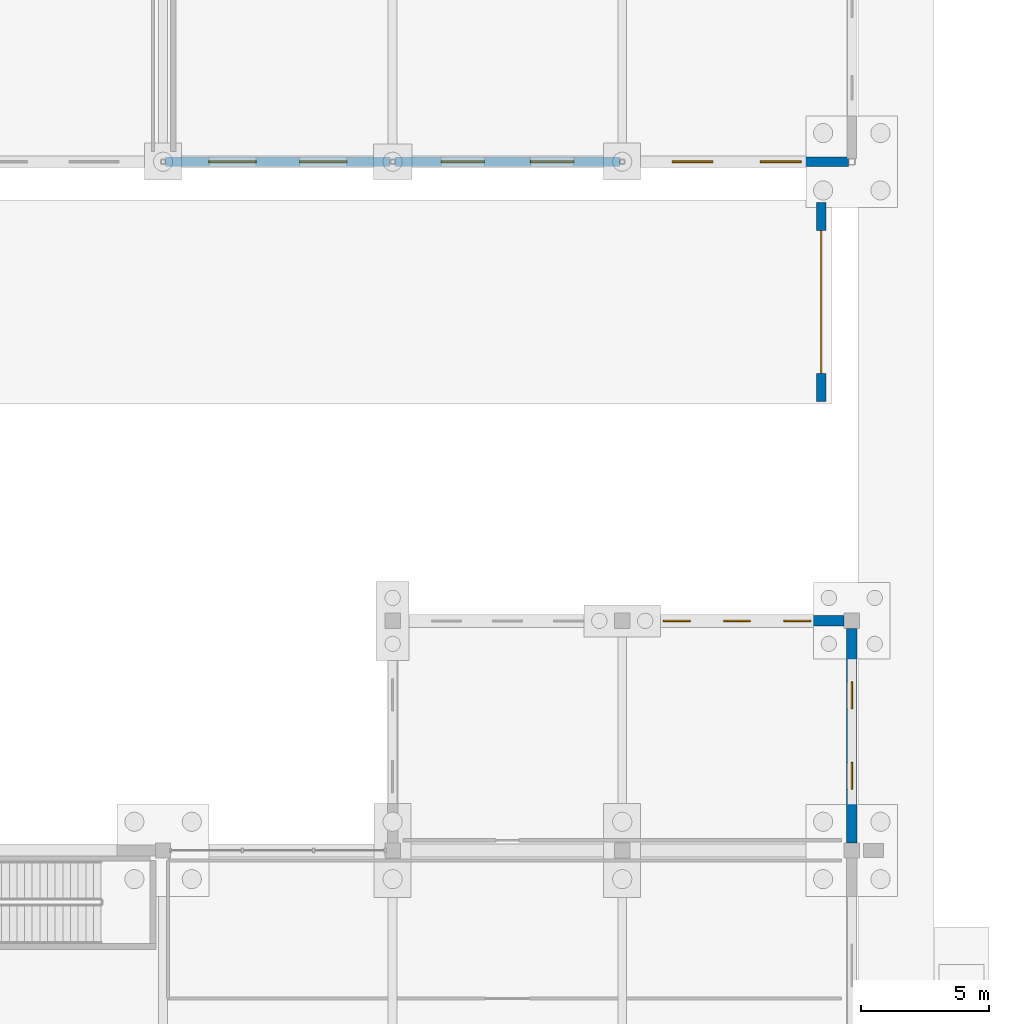
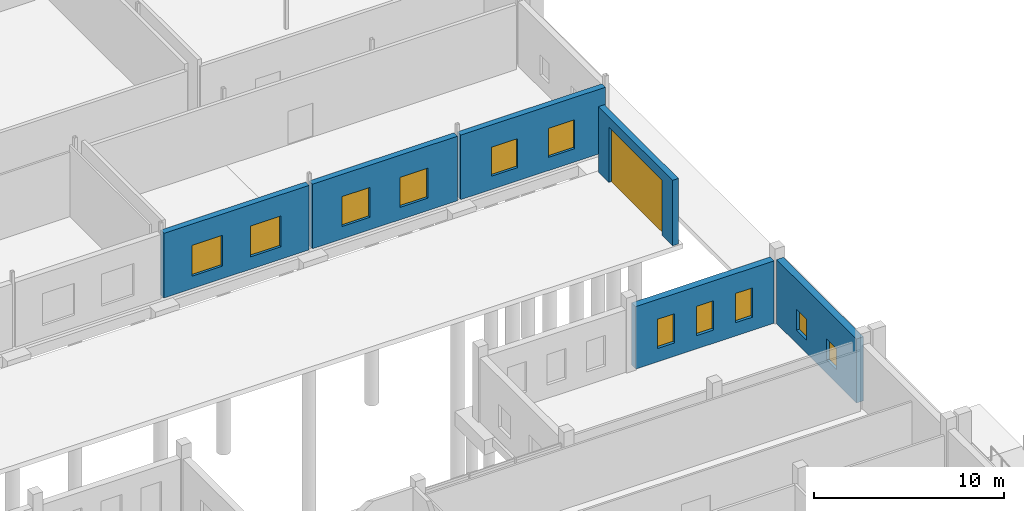
# One storey, part 78 of 112: 11 windows, 6 walls, 1 door, 12 openings.
"""IFC4 building model written with IfcOpenShell, lengths in metres."""

from ifc_helpers import new_model, si_unit, direction, frame, frame_2d, origin, place, context, subcontext, project, spatial, rectangle, extrude, material, layer, layer_set, type_object, element, fill, save


model = new_model("IFC4")

# Units and contexts
model_context = context("Model", 3, precision=1e-05, world=origin(), true_north=direction((0.0, 1.0)))
body_context = subcontext(model_context, "Body", "Model", "MODEL_VIEW")
ifc_project = project(units=[si_unit("LENGTHUNIT", "METRE"), si_unit("AREAUNIT", "SQUARE_METRE"), si_unit("VOLUMEUNIT", "CUBIC_METRE"), si_unit("PLANEANGLEUNIT", "RADIAN"), si_unit("MASSUNIT", "GRAM", prefix="KILO")], contexts=[model_context])

# Site, building, storey
site_placement = place(None, origin())
site = spatial("IfcSite", under=ifc_project, at=site_placement, CompositionType="ELEMENT")
building_placement = place(site_placement, origin())
building = spatial("IfcBuilding", under=site, at=building_placement, Name="Tharagai Park Tramway Depot", CompositionType="ELEMENT")
storey_placement = place(building_placement, origin())
storey = spatial("IfcBuildingStorey", under=building, at=storey_placement, Name="L00", CompositionType="ELEMENT", Elevation=0.0)

# Wall, openings, windows
ifc_material_1 = material(Name="Concrete M35", Category="concrete")
ifc_layer_1 = layer(ifc_material_1, 0.360107421875)
ifc_layer_set_1 = layer_set([ifc_layer_1], Name="Concrete M35")
wall_type_1 = type_object("IfcWallType", Name="EW-03", PredefinedType="SOLIDWALL", material=ifc_layer_set_1)
wall_1_placement = place(storey_placement, frame((189.095947265625, 54.0, 0.0), z_axis=(0.0, 0.0, 1.0), x_axis=(1.0, 0.0, 0.0)))
wall_1 = element("IfcWall", 1, at=wall_1_placement, inside=storey, type_object=wall_type_1, Name="L00 V6 Exterior Masonry Wall EW-03", PredefinedType="SOLIDWALL", context=body_context, shape_type="SweptSolid", body=[
    extrude(rectangle(XDim=8.80810546875, YDim=0.360107421875, at=frame_2d((4.404052734375, 0.0))), origin(), (0.0, 0.0, 1.0), 4.14208984375),
])
opening_1_placement = place(wall_1_placement, frame((1.702880859375, 0.0, 0.800048828125)))
opening_1 = element("IfcOpeningElement", 2, at=opening_1_placement, cuts=wall_1, Name="Opening WN-52", PredefinedType="OPENING", context=body_context, shape_type="SweptSolid", body=[
    extrude(rectangle(XDim=1.85009765625, YDim=1.97998046875, at=frame_2d((0.925048828125, 0.989990234375))), frame((0.0, 0.18994140625, 0.0), z_axis=(0.0, -1.0, 0.0), x_axis=(1.0, 0.0, 0.0)), (0.0, 0.0, 1.0), 0.380126953125),
])
opening_2_placement = place(wall_1_placement, frame((5.2548828125, 0.0, 0.800048828125)))
opening_2 = element("IfcOpeningElement", 3, at=opening_2_placement, cuts=wall_1, Name="Opening WN-52", PredefinedType="OPENING", context=body_context, shape_type="SweptSolid", body=[
    extrude(rectangle(XDim=1.85009765625, YDim=1.97998046875, at=frame_2d((0.925048828125, 0.989990234375))), frame((0.0, 0.18994140625, 0.0), z_axis=(0.0, -1.0, 0.0), x_axis=(1.0, 0.0, 0.0)), (0.0, 0.0, 1.0), 0.380126953125),
])
ifc_material_2 = material(Name="Laminated solar-control glass", Category="glass")
window_type_1 = type_object("IfcWindowType", Name="WN-52", PartitioningType="SINGLE_PANEL", PredefinedType="WINDOW", material=ifc_material_2)
window_1_placement = place(opening_1_placement, origin())
window_1 = element("IfcWindow", 4, at=window_1_placement, inside=storey, type_object=window_type_1, Name="L00 V6 Gothic Lancet Window WN-52", OverallHeight=1.97998046875, OverallWidth=1.85009765625, PartitioningType="SINGLE_PANEL", PredefinedType="WINDOW", context=body_context, shape_type="SweptSolid", body=[
    extrude(rectangle(XDim=1.85009765625, YDim=1.97998046875, at=frame_2d((0.925048828125, 0.989990234375))), frame((0.0, 0.030029296875, 0.0), z_axis=(0.0, -1.0, 0.0), x_axis=(1.0, 0.0, 0.0)), (0.0, 0.0, 1.0), 0.06005859375),
])
fill(opening_1, window_1)
window_2_placement = place(opening_2_placement, origin())
window_2 = element("IfcWindow", 5, at=window_2_placement, inside=storey, type_object=window_type_1, Name="L00 V6 Gothic Lancet Window WN-52", OverallHeight=1.97998046875, OverallWidth=1.85009765625, PartitioningType="SINGLE_PANEL", PredefinedType="WINDOW", context=body_context, shape_type="SweptSolid", body=[
    extrude(rectangle(XDim=1.85009765625, YDim=1.97998046875, at=frame_2d((0.925048828125, 0.989990234375))), frame((0.0, 0.030029296875, 0.0), z_axis=(0.0, -1.0, 0.0), x_axis=(1.0, 0.0, 0.0)), (0.0, 0.0, 1.0), 0.06005859375),
])
fill(opening_2, window_2)

wall_2_placement = place(storey_placement, frame((198.095947265625, 54.0, 0.0), z_axis=(0.0, 0.0, 1.0), x_axis=(1.0, 0.0, 0.0)))
wall_2 = element("IfcWall", 6, at=wall_2_placement, inside=storey, type_object=wall_type_1, Name="L00 V6 Exterior Masonry Wall EW-03", PredefinedType="SOLIDWALL", context=body_context, shape_type="SweptSolid", body=[
    extrude(rectangle(XDim=8.80810546875, YDim=0.360107421875, at=frame_2d((4.404052734375, 0.0))), origin(), (0.0, 0.0, 1.0), 4.14208984375),
])
opening_3_placement = place(wall_2_placement, frame((1.802978515625, 0.0, 0.800048828125)))
opening_3 = element("IfcOpeningElement", 7, at=opening_3_placement, cuts=wall_2, Name="Opening WN-21", PredefinedType="OPENING", context=body_context, shape_type="SweptSolid", body=[
    extrude(rectangle(XDim=1.699951171875, YDim=1.919921875, at=frame_2d((0.85009765625, 0.9599609375))), frame((0.0, 0.18994140625, 0.0), z_axis=(0.0, -1.0, 0.0), x_axis=(1.0, 0.0, 0.0)), (0.0, 0.0, 1.0), 0.380126953125),
])
opening_4_placement = place(wall_2_placement, frame((5.304931640625, 0.0, 0.800048828125)))
opening_4 = element("IfcOpeningElement", 8, at=opening_4_placement, cuts=wall_2, Name="Opening WN-21", PredefinedType="OPENING", context=body_context, shape_type="SweptSolid", body=[
    extrude(rectangle(XDim=1.699951171875, YDim=1.919921875, at=frame_2d((0.85009765625, 0.9599609375))), frame((0.0, 0.18994140625, 0.0), z_axis=(0.0, -1.0, 0.0), x_axis=(1.0, 0.0, 0.0)), (0.0, 0.0, 1.0), 0.380126953125),
])
window_type_2 = type_object("IfcWindowType", Name="WN-21", PartitioningType="SINGLE_PANEL", PredefinedType="WINDOW", material=ifc_material_2)
window_3_placement = place(opening_3_placement, origin())
window_3 = element("IfcWindow", 9, at=window_3_placement, inside=storey, type_object=window_type_2, Name="L00 V6 Gothic Lancet Window WN-21", OverallHeight=1.919921875, OverallWidth=1.699951171875, PartitioningType="SINGLE_PANEL", PredefinedType="WINDOW", context=body_context, shape_type="SweptSolid", body=[
    extrude(rectangle(XDim=1.699951171875, YDim=1.919921875, at=frame_2d((0.85009765625, 0.9599609375))), frame((0.0, 0.030029296875, 0.0), z_axis=(0.0, -1.0, 0.0), x_axis=(1.0, 0.0, 0.0)), (0.0, 0.0, 1.0), 0.06005859375),
])
fill(opening_3, window_3)
window_4_placement = place(opening_4_placement, origin())
window_4 = element("IfcWindow", 10, at=window_4_placement, inside=storey, type_object=window_type_2, Name="L00 V6 Gothic Lancet Window WN-21", OverallHeight=1.919921875, OverallWidth=1.699951171875, PartitioningType="SINGLE_PANEL", PredefinedType="WINDOW", context=body_context, shape_type="SweptSolid", body=[
    extrude(rectangle(XDim=1.699951171875, YDim=1.919921875, at=frame_2d((0.85009765625, 0.9599609375))), frame((0.0, 0.030029296875, 0.0), z_axis=(0.0, -1.0, 0.0), x_axis=(1.0, 0.0, 0.0)), (0.0, 0.0, 1.0), 0.06005859375),
])
fill(opening_4, window_4)

wall_3_placement = place(storey_placement, frame((207.095947265625, 54.0, 0.0), z_axis=(0.0, 0.0, 1.0), x_axis=(1.0, 0.0, 0.0)))
wall_3 = element("IfcWall", 11, at=wall_3_placement, inside=storey, type_object=wall_type_1, Name="L00 V6 Exterior Masonry Wall EW-03", PredefinedType="SOLIDWALL", context=body_context, shape_type="SweptSolid", body=[
    extrude(rectangle(XDim=8.77294921875, YDim=0.360107421875, at=frame_2d((4.386474609375, 0.0))), origin(), (0.0, 0.0, 1.0), 4.14208984375),
])
opening_5_placement = place(wall_3_placement, frame((1.85791015625, 0.0, 0.85009765625)))
opening_5 = element("IfcOpeningElement", 12, at=opening_5_placement, cuts=wall_3, Name="Opening WN-55", PredefinedType="OPENING", context=body_context, shape_type="SweptSolid", body=[
    extrude(rectangle(XDim=1.60009765625, YDim=1.860107421875, at=frame_2d((0.800048828125, 0.93017578125))), frame((0.0, 0.18994140625, 0.0), z_axis=(0.0, -1.0, 0.0), x_axis=(1.0, 0.0, 0.0)), (0.0, 0.0, 1.0), 0.380126953125),
])
opening_6_placement = place(wall_3_placement, frame((5.31494140625, 0.0, 0.85009765625)))
opening_6 = element("IfcOpeningElement", 13, at=opening_6_placement, cuts=wall_3, Name="Opening WN-55", PredefinedType="OPENING", context=body_context, shape_type="SweptSolid", body=[
    extrude(rectangle(XDim=1.60009765625, YDim=1.860107421875, at=frame_2d((0.800048828125, 0.93017578125))), frame((0.0, 0.18994140625, 0.0), z_axis=(0.0, -1.0, 0.0), x_axis=(1.0, 0.0, 0.0)), (0.0, 0.0, 1.0), 0.380126953125),
])
window_type_3 = type_object("IfcWindowType", Name="WN-55", PartitioningType="SINGLE_PANEL", PredefinedType="WINDOW", material=ifc_material_2)
window_5_placement = place(opening_5_placement, origin())
window_5 = element("IfcWindow", 14, at=window_5_placement, inside=storey, type_object=window_type_3, Name="L00 V6 Gothic Lancet Window WN-55", OverallHeight=1.860107421875, OverallWidth=1.60009765625, PartitioningType="SINGLE_PANEL", PredefinedType="WINDOW", context=body_context, shape_type="SweptSolid", body=[
    extrude(rectangle(XDim=1.60009765625, YDim=1.860107421875, at=frame_2d((0.800048828125, 0.93017578125))), frame((0.0, 0.030029296875, 0.0), z_axis=(0.0, -1.0, 0.0), x_axis=(1.0, 0.0, 0.0)), (0.0, 0.0, 1.0), 0.06005859375),
])
fill(opening_5, window_5)
window_6_placement = place(opening_6_placement, origin())
window_6 = element("IfcWindow", 15, at=window_6_placement, inside=storey, type_object=window_type_3, Name="L00 V6 Gothic Lancet Window WN-55", OverallHeight=1.860107421875, OverallWidth=1.60009765625, PartitioningType="SINGLE_PANEL", PredefinedType="WINDOW", context=body_context, shape_type="SweptSolid", body=[
    extrude(rectangle(XDim=1.60009765625, YDim=1.860107421875, at=frame_2d((0.800048828125, 0.93017578125))), frame((0.0, 0.030029296875, 0.0), z_axis=(0.0, -1.0, 0.0), x_axis=(1.0, 0.0, 0.0)), (0.0, 0.0, 1.0), 0.06005859375),
])
fill(opening_6, window_6)

# Wall, opening, door
wall_4_placement = place(storey_placement, frame((214.800048828125, 44.60009765625, 0.0), z_axis=(0.0, 0.0, 1.0), x_axis=(0.0, 1.0, 0.0)))
wall_4 = element("IfcWall", 16, at=wall_4_placement, inside=storey, type_object=wall_type_1, Name="Car-Park Street Entrance Portal Wall", PredefinedType="SOLIDWALL", context=body_context, shape_type="SweptSolid", body=[
    extrude(rectangle(XDim=7.7998046875, YDim=0.360107421875, at=frame_2d((3.89990234375, 0.0))), origin(), (0.0, 0.0, 1.0), 4.199951171875),
])
opening_7_placement = place(wall_4_placement, frame((1.10009765625, 0.0, 0.0)))
opening_7 = element("IfcOpeningElement", 17, at=opening_7_placement, cuts=wall_4, Name="Opening VG-04", PredefinedType="OPENING", context=body_context, shape_type="SweptSolid", body=[
    extrude(rectangle(XDim=5.60009765625, YDim=3.550048828125, at=frame_2d((2.800048828125, 1.77490234375))), frame((0.0, 0.18994140625, 0.0), z_axis=(0.0, -1.0, 0.0), x_axis=(1.0, 0.0, 0.0)), (0.0, 0.0, 1.0), 0.380126953125),
])
ifc_material_3 = material(Name="Galvanised steel", Category="steel")
door_type = type_object("IfcDoorType", Name="VG-04", OperationType="ROLLINGUP", PredefinedType="GATE", material=ifc_material_3)
door_placement = place(opening_7_placement, frame((5.60009765625, 0.0, 0.0), z_axis=(0.0, 0.0, 1.0), x_axis=(-1.0, 0.0, 0.0)))
door = element("IfcDoor", 18, at=door_placement, inside=storey, type_object=door_type, Name="Car-Park Vehicle Gate", OperationType="ROLLINGUP", OverallHeight=3.550048828125, OverallWidth=5.60009765625, PredefinedType="GATE", context=body_context, shape_type="SweptSolid", body=[
    extrude(rectangle(XDim=5.60009765625, YDim=3.550048828125, at=frame_2d((2.800048828125, 1.77490234375))), frame((0.0, 0.02490234375, 0.0), z_axis=(0.0, -1.0, 0.0), x_axis=(1.0, 0.0, 0.0)), (0.0, 0.0, 1.0), 0.050048828125),
])
fill(opening_7, door)

# Wall, openings, windows
ifc_material_4 = material(Name="Charnockite stone", Category="masonry")
ifc_layer_2 = layer(ifc_material_4, 0.419921875)
ifc_layer_set_2 = layer_set([ifc_layer_2], Name="Charnockite stone")
wall_type_2 = type_object("IfcWallType", Name="EW-07", PredefinedType="SOLIDWALL", material=ifc_layer_set_2)
wall_5_placement = place(storey_placement, frame((207.298095703125, 36.0, 0.0), z_axis=(0.0, 0.0, 1.0), x_axis=(1.0, 0.0, 0.0)))
wall_5 = element("IfcWall", 19, at=wall_5_placement, inside=storey, type_object=wall_type_2, Name="L00 V5 Exterior Masonry Wall EW-07", PredefinedType="SOLIDWALL", context=body_context, shape_type="SweptSolid", body=[
    extrude(rectangle(XDim=8.40380859375, YDim=0.419921875, at=frame_2d((4.201904296875, 0.0))), origin(), (0.0, 0.0, 1.0), 4.001953125),
])
opening_8_placement = place(wall_5_placement, frame((1.31298828125, 0.0, 0.85009765625)))
opening_8 = element("IfcOpeningElement", 20, at=opening_8_placement, cuts=wall_5, Name="Opening WN-18", PredefinedType="OPENING", context=body_context, shape_type="SweptSolid", body=[
    extrude(rectangle(XDim=1.050048828125, YDim=1.8798828125, at=frame_2d((0.52490234375, 0.93994140625))), frame((0.0, 0.219970703125, 0.0), z_axis=(0.0, -1.0, 0.0), x_axis=(1.0, 0.0, 0.0)), (0.0, 0.0, 1.0), 0.43994140625),
])
opening_9_placement = place(wall_5_placement, frame((3.677001953125, 0.0, 0.85009765625)))
opening_9 = element("IfcOpeningElement", 21, at=opening_9_placement, cuts=wall_5, Name="Opening WN-18", PredefinedType="OPENING", context=body_context, shape_type="SweptSolid", body=[
    extrude(rectangle(XDim=1.050048828125, YDim=1.8798828125, at=frame_2d((0.52490234375, 0.93994140625))), frame((0.0, 0.219970703125, 0.0), z_axis=(0.0, -1.0, 0.0), x_axis=(1.0, 0.0, 0.0)), (0.0, 0.0, 1.0), 0.43994140625),
])
opening_10_placement = place(wall_5_placement, frame((6.0400390625, 0.0, 0.85009765625)))
opening_10 = element("IfcOpeningElement", 22, at=opening_10_placement, cuts=wall_5, Name="Opening WN-18", PredefinedType="OPENING", context=body_context, shape_type="SweptSolid", body=[
    extrude(rectangle(XDim=1.050048828125, YDim=1.8798828125, at=frame_2d((0.52490234375, 0.93994140625))), frame((0.0, 0.219970703125, 0.0), z_axis=(0.0, -1.0, 0.0), x_axis=(1.0, 0.0, 0.0)), (0.0, 0.0, 1.0), 0.43994140625),
])
window_type_4 = type_object("IfcWindowType", Name="WN-18", PartitioningType="SINGLE_PANEL", PredefinedType="WINDOW", material=ifc_material_2)
window_7_placement = place(opening_8_placement, origin())
window_7 = element("IfcWindow", 23, at=window_7_placement, inside=storey, type_object=window_type_4, Name="L00 V5 Gothic Lancet Window WN-18", OverallHeight=1.8798828125, OverallWidth=1.050048828125, PartitioningType="SINGLE_PANEL", PredefinedType="WINDOW", context=body_context, shape_type="SweptSolid", body=[
    extrude(rectangle(XDim=1.050048828125, YDim=1.8798828125, at=frame_2d((0.52490234375, 0.93994140625))), frame((0.0, 0.030029296875, 0.0), z_axis=(0.0, -1.0, 0.0), x_axis=(1.0, 0.0, 0.0)), (0.0, 0.0, 1.0), 0.06005859375),
])
fill(opening_8, window_7)
window_8_placement = place(opening_9_placement, origin())
window_8 = element("IfcWindow", 24, at=window_8_placement, inside=storey, type_object=window_type_4, Name="L00 V5 Gothic Lancet Window WN-18", OverallHeight=1.8798828125, OverallWidth=1.050048828125, PartitioningType="SINGLE_PANEL", PredefinedType="WINDOW", context=body_context, shape_type="SweptSolid", body=[
    extrude(rectangle(XDim=1.050048828125, YDim=1.8798828125, at=frame_2d((0.52490234375, 0.93994140625))), frame((0.0, 0.030029296875, 0.0), z_axis=(0.0, -1.0, 0.0), x_axis=(1.0, 0.0, 0.0)), (0.0, 0.0, 1.0), 0.06005859375),
])
fill(opening_9, window_8)
window_9_placement = place(opening_10_placement, origin())
window_9 = element("IfcWindow", 25, at=window_9_placement, inside=storey, type_object=window_type_4, Name="L00 V5 Gothic Lancet Window WN-18", OverallHeight=1.8798828125, OverallWidth=1.050048828125, PartitioningType="SINGLE_PANEL", PredefinedType="WINDOW", context=body_context, shape_type="SweptSolid", body=[
    extrude(rectangle(XDim=1.050048828125, YDim=1.8798828125, at=frame_2d((0.52490234375, 0.93994140625))), frame((0.0, 0.030029296875, 0.0), z_axis=(0.0, -1.0, 0.0), x_axis=(1.0, 0.0, 0.0)), (0.0, 0.0, 1.0), 0.06005859375),
])
fill(opening_10, window_9)

wall_6_placement = place(storey_placement, frame((216.0, 27.298095703125, 0.0), z_axis=(0.0, 0.0, 1.0), x_axis=(0.0, 1.0, 0.0)))
wall_6 = element("IfcWall", 26, at=wall_6_placement, inside=storey, type_object=wall_type_2, Name="L00 V5 Exterior Masonry Wall EW-07", PredefinedType="SOLIDWALL", context=body_context, shape_type="SweptSolid", body=[
    extrude(rectangle(XDim=8.40380859375, YDim=0.419921875, at=frame_2d((4.201904296875, 0.0))), origin(), (0.0, 0.0, 1.0), 4.10205078125),
])
opening_11_placement = place(wall_6_placement, frame((2.094970703125, 0.0, 0.85009765625)))
opening_11 = element("IfcOpeningElement", 27, at=opening_11_placement, cuts=wall_6, Name="Opening WN-54", PredefinedType="OPENING", context=body_context, shape_type="SweptSolid", body=[
    extrude(rectangle(XDim=1.06005859375, YDim=1.35009765625, at=frame_2d((0.530029296875, 0.675048828125))), frame((0.0, 0.219970703125, 0.0), z_axis=(0.0, -1.0, 0.0), x_axis=(1.0, 0.0, 0.0)), (0.0, 0.0, 1.0), 0.43994140625),
])
opening_12_placement = place(wall_6_placement, frame((5.2490234375, 0.0, 0.85009765625)))
opening_12 = element("IfcOpeningElement", 28, at=opening_12_placement, cuts=wall_6, Name="Opening WN-54", PredefinedType="OPENING", context=body_context, shape_type="SweptSolid", body=[
    extrude(rectangle(XDim=1.06005859375, YDim=1.35009765625, at=frame_2d((0.530029296875, 0.675048828125))), frame((0.0, 0.219970703125, 0.0), z_axis=(0.0, -1.0, 0.0), x_axis=(1.0, 0.0, 0.0)), (0.0, 0.0, 1.0), 0.43994140625),
])
window_type_5 = type_object("IfcWindowType", Name="WN-54", PartitioningType="SINGLE_PANEL", PredefinedType="WINDOW", material=ifc_material_2)
window_10_placement = place(opening_11_placement, origin())
window_10 = element("IfcWindow", 29, at=window_10_placement, inside=storey, type_object=window_type_5, Name="L00 V5 Side Lancet Window WN-54", OverallHeight=1.35009765625, OverallWidth=1.06005859375, PartitioningType="SINGLE_PANEL", PredefinedType="WINDOW", context=body_context, shape_type="SweptSolid", body=[
    extrude(rectangle(XDim=1.06005859375, YDim=1.35009765625, at=frame_2d((0.530029296875, 0.675048828125))), frame((0.0, 0.030029296875, 0.0), z_axis=(0.0, -1.0, 0.0), x_axis=(1.0, 0.0, 0.0)), (0.0, 0.0, 1.0), 0.06005859375),
])
fill(opening_11, window_10)
window_11_placement = place(opening_12_placement, origin())
window_11 = element("IfcWindow", 30, at=window_11_placement, inside=storey, type_object=window_type_5, Name="L00 V5 Side Lancet Window WN-54", OverallHeight=1.35009765625, OverallWidth=1.06005859375, PartitioningType="SINGLE_PANEL", PredefinedType="WINDOW", context=body_context, shape_type="SweptSolid", body=[
    extrude(rectangle(XDim=1.06005859375, YDim=1.35009765625, at=frame_2d((0.530029296875, 0.675048828125))), frame((0.0, 0.030029296875, 0.0), z_axis=(0.0, -1.0, 0.0), x_axis=(1.0, 0.0, 0.0)), (0.0, 0.0, 1.0), 0.06005859375),
])
fill(opening_12, window_11)

save(model, "model.ifc")
